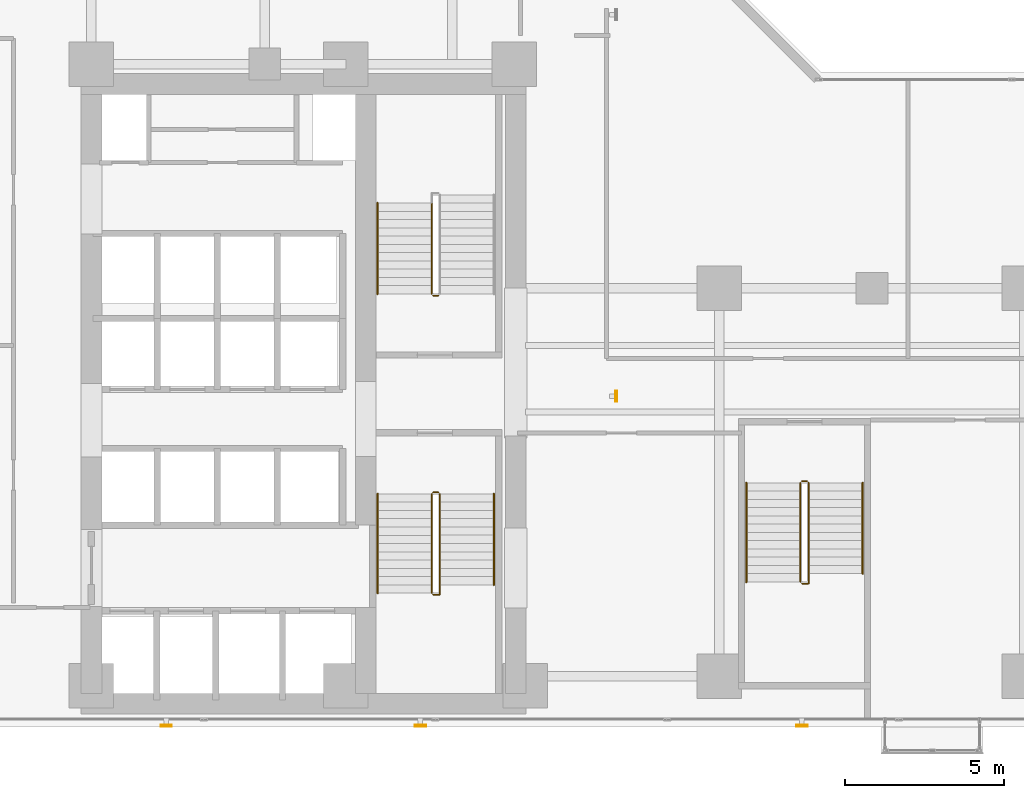
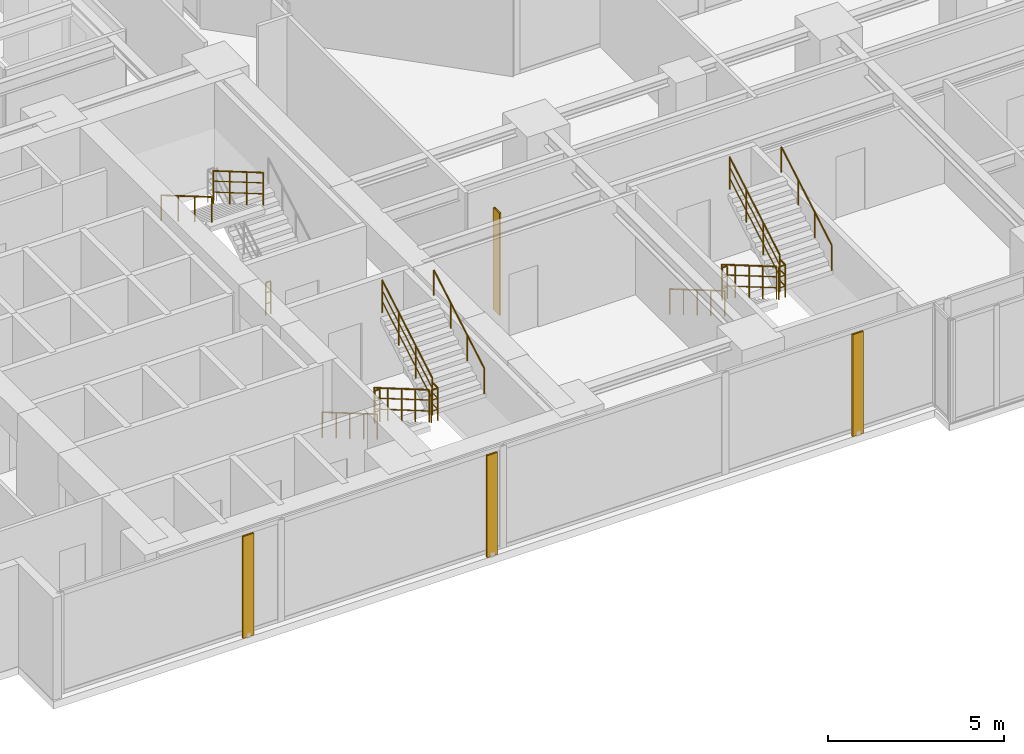
# One storey, part 25 of 28: 15 railings, 4 shading devices.
"""IFC4 building model written with IfcOpenShell, lengths in metres."""

from ifc_helpers import new_model, si_unit, direction, frame, origin, origin_2d, place, context, subcontext, project, spatial, hollow_rectangle, circle, extrude, material, material_profile, profile_set, type_object, element, save


model = new_model("IFC4")

# Units and contexts
model_context = context("Model", 3, precision=1e-05, world=origin(), true_north=direction((0.0, 1.0)))
body_context = subcontext(model_context, "Body", "Model", "MODEL_VIEW")
ifc_project = project(units=[si_unit("LENGTHUNIT", "METRE"), si_unit("AREAUNIT", "SQUARE_METRE"), si_unit("VOLUMEUNIT", "CUBIC_METRE"), si_unit("PLANEANGLEUNIT", "RADIAN"), si_unit("MASSUNIT", "GRAM", prefix="KILO")], contexts=[model_context])

# Site, building, storey
site_placement = place(None, origin())
site = spatial("IfcSite", under=ifc_project, at=site_placement, CompositionType="ELEMENT")
building_placement = place(site_placement, origin())
building = spatial("IfcBuilding", under=site, at=building_placement, Name="Kolvaren Waterfront Exchange", CompositionType="ELEMENT")
storey_placement = place(building_placement, frame((0.0, 0.0, 114.5)))
storey = spatial("IfcBuildingStorey", under=building, at=storey_placement, Name="L29", CompositionType="ELEMENT", Elevation=114.5)

# Shading devices
ifc_material_1 = material(Name="Anodised bronze aluminium 6063-T6", Category="aluminium")
ifc_material_profile = material_profile(ifc_material_1, hollow_rectangle(XDim=0.06005859375, YDim=0.35009765625, WallThickness=0.0048828125, at=origin_2d()), Name="BRZ-FIN-350x60x5")
ifc_profile_set = profile_set([ifc_material_profile], Name="Anodised bronze aluminium 6063-T6")
shading_device_type = type_object("IfcShadingDeviceType", Name="ARC-FIN-350", PredefinedType="USERDEFINED", material=ifc_profile_set)
for number, where, z_axis, x_axis, name in (
    (1, (9.800048828125, 3.639892578125, 0.0), (0.0, 0.0, 1.0), (0.0, -1.0, 0.0), "L29 anodised bronze solar shading fin FIN-L29-S1"),
    (2, (17.800048828125, 3.639892578125, 0.0), (0.0, 0.0, 1.0), (0.0, -1.0, 0.0), "L29 anodised bronze solar shading fin FIN-L29-S2"),
    (3, (29.800048828125, 3.639892578125, 0.0), (0.0, 0.0, 1.0), (0.0, -1.0, 0.0), "L29 anodised bronze solar shading fin FIN-L29-S3"),
    (4, (23.9599609375, 14.0, 0.0), (0.0, 0.0, 1.0), (1.0, 0.0, 0.0), "L29 anodised bronze solar shading fin FIN-L29-E1"),
):
    element("IfcShadingDevice", number, at=place(storey_placement, frame(where, z_axis=z_axis, x_axis=x_axis)), inside=storey, type_object=shading_device_type, Name=name, ObjectType="SOLAR FIN", PredefinedType="USERDEFINED", context=body_context, shape_type="SweptSolid", body=[
        extrude(hollow_rectangle(XDim=0.06005859375, YDim=0.35009765625, WallThickness=0.0048828125, at=origin_2d()), origin(), (0.0, 0.0, 1.0), 3.5400390625),
    ])

# Railings
ifc_material_2 = material(Name="Stainless steel 316", Category="steel")
railing_type_1 = type_object("IfcRailingType", Name="ARC-GUARD-STAIR", PredefinedType="GUARDRAIL", material=ifc_material_2)
railing_1_placement = place(storey_placement, frame((18.14990234375, 10.929931640625, 0.152099609375)))
element("IfcRailing", 5, at=railing_1_placement, inside=storey, type_object=railing_type_1, Name="L29 ST1 stair guard 1", PredefinedType="GUARDRAIL", context=body_context, shape_type="SweptSolid", body=[
    extrude(circle(Radius=0.02392578125, at=origin_2d()), frame((0.0, 0.0, 1.1259765625), z_axis=(0.0, -0.86329090724, 0.504706656858), x_axis=(1.0, 0.0, 0.0)), (0.0, 0.0, 1.0), 3.614013671875),
    extrude(circle(Radius=0.01611328125, at=origin_2d()), frame((0.0, 0.0, 0.390869140625), z_axis=(0.0, -0.86329090724, 0.504706656858), x_axis=(1.0, 0.0, 0.0)), (0.0, 0.0, 1.0), 3.614013671875),
    extrude(circle(Radius=0.01611328125, at=origin_2d()), frame((0.0, 0.0, 0.7705078125), z_axis=(0.0, -0.86329090724, 0.504706656858), x_axis=(1.0, 0.0, 0.0)), (0.0, 0.0, 1.0), 3.614013671875),
    extrude(circle(Radius=0.02099609375, at=origin_2d()), origin(), (0.0, 0.0, 1.0), 1.101806640625),
    extrude(circle(Radius=0.02099609375, at=origin_2d()), frame((0.0, -0.780029296875, 0.4560546875)), (0.0, 0.0, 1.0), 1.101806640625),
    extrude(circle(Radius=0.02099609375, at=origin_2d()), frame((0.0, -1.56005859375, 0.912109375)), (0.0, 0.0, 1.0), 1.101806640625),
    extrude(circle(Radius=0.02099609375, at=origin_2d()), frame((0.0, -2.33984375, 1.367919921875)), (0.0, 0.0, 1.0), 1.101806640625),
    extrude(circle(Radius=0.02099609375, at=origin_2d()), frame((0.0, -3.119873046875, 1.823974609375)), (0.0, 0.0, 1.0), 1.101806640625),
])
railing_2_placement = place(storey_placement, frame((18.199951171875, 7.760009765625, 1.97607421875)))
element("IfcRailing", 6, at=railing_2_placement, inside=storey, type_object=railing_type_1, Name="L29 ST1 stair guard 2", PredefinedType="GUARDRAIL", context=body_context, shape_type="SweptSolid", body=[
    extrude(circle(Radius=0.02392578125, at=origin_2d()), frame((0.0, 0.0, 1.1259765625), z_axis=(1.0, 0.0, 0.0), x_axis=(0.0, 1.0, 0.0)), (0.0, 0.0, 1.0), 0.2099609375),
    extrude(circle(Radius=0.01611328125, at=origin_2d()), frame((0.0, 0.0, 0.390869140625), z_axis=(1.0, 0.0, 0.0), x_axis=(0.0, 1.0, 0.0)), (0.0, 0.0, 1.0), 0.2099609375),
    extrude(circle(Radius=0.01611328125, at=origin_2d()), frame((0.0, 0.0, 0.7705078125), z_axis=(1.0, 0.0, 0.0), x_axis=(0.0, 1.0, 0.0)), (0.0, 0.0, 1.0), 0.2099609375),
    extrude(circle(Radius=0.02392578125, at=origin_2d()), frame((0.2099609375, 0.0, 1.1259765625), z_axis=(0.0, 1.0, 0.0), x_axis=(-1.0, 0.0, 0.0)), (0.0, 0.0, 1.0), 0.31005859375),
    extrude(circle(Radius=0.01611328125, at=origin_2d()), frame((0.2099609375, 0.0, 0.390869140625), z_axis=(0.0, 1.0, 0.0), x_axis=(-1.0, 0.0, 0.0)), (0.0, 0.0, 1.0), 0.31005859375),
    extrude(circle(Radius=0.01611328125, at=origin_2d()), frame((0.2099609375, 0.0, 0.7705078125), z_axis=(0.0, 1.0, 0.0), x_axis=(-1.0, 0.0, 0.0)), (0.0, 0.0, 1.0), 0.31005859375),
    extrude(circle(Radius=0.02099609375, at=origin_2d()), origin(), (0.0, 0.0, 1.0), 1.101806640625),
    extrude(circle(Radius=0.02099609375, at=origin_2d()), frame((0.2099609375, 0.0, 0.0)), (0.0, 0.0, 1.0), 1.101806640625),
    extrude(circle(Radius=0.02099609375, at=origin_2d()), frame((0.2099609375, 0.31005859375, 0.0)), (0.0, 0.0, 1.0), 1.101806640625),
])
railing_3_placement = place(storey_placement, frame((18.409912109375, 8.070068359375, 2.1279296875)))
element("IfcRailing", 7, at=railing_3_placement, inside=storey, type_object=railing_type_1, Name="L29 ST1 stair guard 3", PredefinedType="GUARDRAIL", context=body_context, shape_type="SweptSolid", body=[
    extrude(circle(Radius=0.02392578125, at=origin_2d()), frame((0.0, 0.0, 1.1259765625), z_axis=(0.0, 0.863270611444, 0.50474137082), x_axis=(-1.0, 0.0, 0.0)), (0.0, 0.0, 1.0), 3.312744140625),
    extrude(circle(Radius=0.01611328125, at=origin_2d()), frame((0.0, 0.0, 0.390869140625), z_axis=(0.0, 0.863270611444, 0.50474137082), x_axis=(-1.0, 0.0, 0.0)), (0.0, 0.0, 1.0), 3.312744140625),
    extrude(circle(Radius=0.01611328125, at=origin_2d()), frame((0.0, 0.0, 0.7705078125), z_axis=(0.0, 0.863270611444, 0.50474137082), x_axis=(-1.0, 0.0, 0.0)), (0.0, 0.0, 1.0), 3.312744140625),
    extrude(circle(Radius=0.02099609375, at=origin_2d()), origin(), (0.0, 0.0, 1.0), 1.101806640625),
    extrude(circle(Radius=0.02099609375, at=origin_2d()), frame((0.0, 0.953369140625, 0.557373046875)), (0.0, 0.0, 1.0), 1.101806640625),
    extrude(circle(Radius=0.02099609375, at=origin_2d()), frame((0.0, 1.906494140625, 1.11474609375)), (0.0, 0.0, 1.0), 1.101806640625),
    extrude(circle(Radius=0.02099609375, at=origin_2d()), frame((0.0, 2.85986328125, 1.672119140625)), (0.0, 0.0, 1.0), 1.101806640625),
])
railing_4_placement = place(storey_placement, frame((18.199951171875, 10.97998046875, 0.0)))
element("IfcRailing", 8, at=railing_4_placement, inside=storey, type_object=railing_type_1, Name="L29 ST1 stair guard 4", PredefinedType="GUARDRAIL", context=body_context, shape_type="SweptSolid", body=[
    extrude(circle(Radius=0.02392578125, at=origin_2d()), frame((0.0, 0.0, 1.1259765625), z_axis=(1.0, 0.0, 0.0), x_axis=(0.0, 1.0, 0.0)), (0.0, 0.0, 1.0), 0.16015625),
    extrude(circle(Radius=0.01611328125, at=origin_2d()), frame((0.0, 0.0, 0.390869140625), z_axis=(1.0, 0.0, 0.0), x_axis=(0.0, 1.0, 0.0)), (0.0, 0.0, 1.0), 0.16015625),
    extrude(circle(Radius=0.01611328125, at=origin_2d()), frame((0.0, 0.0, 0.7705078125), z_axis=(1.0, 0.0, 0.0), x_axis=(0.0, 1.0, 0.0)), (0.0, 0.0, 1.0), 0.16015625),
    extrude(circle(Radius=0.02099609375, at=origin_2d()), origin(), (0.0, 0.0, 1.0), 1.101806640625),
    extrude(circle(Radius=0.02099609375, at=origin_2d()), frame((0.16015625, 0.0, 0.0)), (0.0, 0.0, 1.0), 1.101806640625),
])
railing_5_placement = place(storey_placement, frame((18.14990234375, 20.080078125, 2.1279296875)))
element("IfcRailing", 9, at=railing_5_placement, inside=storey, type_object=railing_type_1, Name="L29 ST2 stair guard 3", PredefinedType="GUARDRAIL", context=body_context, shape_type="SweptSolid", body=[
    extrude(circle(Radius=0.02392578125, at=origin_2d()), frame((0.0, 0.0, 1.1259765625), z_axis=(0.0, -0.863289384635, 0.504709261235), x_axis=(1.0, 0.0, 0.0)), (0.0, 0.0, 1.0), 3.31298828125),
    extrude(circle(Radius=0.01611328125, at=origin_2d()), frame((0.0, 0.0, 0.390869140625), z_axis=(0.0, -0.863289384635, 0.504709261235), x_axis=(1.0, 0.0, 0.0)), (0.0, 0.0, 1.0), 3.31298828125),
    extrude(circle(Radius=0.01611328125, at=origin_2d()), frame((0.0, 0.0, 0.7705078125), z_axis=(0.0, -0.863289384635, 0.504709261235), x_axis=(1.0, 0.0, 0.0)), (0.0, 0.0, 1.0), 3.31298828125),
    extrude(circle(Radius=0.02099609375, at=origin_2d()), origin(), (0.0, 0.0, 1.0), 1.101806640625),
    extrude(circle(Radius=0.02099609375, at=origin_2d()), frame((0.0, -0.953369140625, 0.557373046875)), (0.0, 0.0, 1.0), 1.101806640625),
    extrude(circle(Radius=0.02099609375, at=origin_2d()), frame((0.0, -1.90673828125, 1.11474609375)), (0.0, 0.0, 1.0), 1.101806640625),
    extrude(circle(Radius=0.02099609375, at=origin_2d()), frame((0.0, -2.860107421875, 1.672119140625)), (0.0, 0.0, 1.0), 1.101806640625),
])
railing_6_placement = place(storey_placement, frame((18.360107421875, 17.169921875, 0.0)))
element("IfcRailing", 10, at=railing_6_placement, inside=storey, type_object=railing_type_1, Name="L29 ST2 stair guard 4", PredefinedType="GUARDRAIL", context=body_context, shape_type="SweptSolid", body=[
    extrude(circle(Radius=0.02392578125, at=origin_2d()), frame((0.0, 0.0, 1.1259765625), z_axis=(-1.0, 0.0, 0.0), x_axis=(0.0, -1.0, 0.0)), (0.0, 0.0, 1.0), 0.16015625),
    extrude(circle(Radius=0.01611328125, at=origin_2d()), frame((0.0, 0.0, 0.390869140625), z_axis=(-1.0, 0.0, 0.0), x_axis=(0.0, -1.0, 0.0)), (0.0, 0.0, 1.0), 0.16015625),
    extrude(circle(Radius=0.01611328125, at=origin_2d()), frame((0.0, 0.0, 0.7705078125), z_axis=(-1.0, 0.0, 0.0), x_axis=(0.0, -1.0, 0.0)), (0.0, 0.0, 1.0), 0.16015625),
    extrude(circle(Radius=0.02099609375, at=origin_2d()), origin(), (0.0, 0.0, 1.0), 1.101806640625),
    extrude(circle(Radius=0.02099609375, at=origin_2d()), frame((-0.16015625, 0.0, 0.0)), (0.0, 0.0, 1.0), 1.101806640625),
])
railing_7_placement = place(storey_placement, frame((29.75, 11.280029296875, 0.152099609375)))
element("IfcRailing", 11, at=railing_7_placement, inside=storey, type_object=railing_type_1, Name="L29 ST3 stair guard 1", PredefinedType="GUARDRAIL", context=body_context, shape_type="SweptSolid", body=[
    extrude(circle(Radius=0.02392578125, at=origin_2d()), frame((0.0, 0.0, 1.1259765625), z_axis=(0.0, -0.86330811405, 0.504677223793), x_axis=(1.0, 0.0, 0.0)), (0.0, 0.0, 1.0), 3.6142578125),
    extrude(circle(Radius=0.01611328125, at=origin_2d()), frame((0.0, 0.0, 0.390869140625), z_axis=(0.0, -0.86330811405, 0.504677223793), x_axis=(1.0, 0.0, 0.0)), (0.0, 0.0, 1.0), 3.6142578125),
    extrude(circle(Radius=0.01611328125, at=origin_2d()), frame((0.0, 0.0, 0.7705078125), z_axis=(0.0, -0.86330811405, 0.504677223793), x_axis=(1.0, 0.0, 0.0)), (0.0, 0.0, 1.0), 3.6142578125),
    extrude(circle(Radius=0.02099609375, at=origin_2d()), origin(), (0.0, 0.0, 1.0), 1.101806640625),
    extrude(circle(Radius=0.02099609375, at=origin_2d()), frame((0.0, -0.780029296875, 0.4560546875)), (0.0, 0.0, 1.0), 1.101806640625),
    extrude(circle(Radius=0.02099609375, at=origin_2d()), frame((0.0, -1.56005859375, 0.912109375)), (0.0, 0.0, 1.0), 1.101806640625),
    extrude(circle(Radius=0.02099609375, at=origin_2d()), frame((0.0, -2.340087890625, 1.367919921875)), (0.0, 0.0, 1.0), 1.101806640625),
    extrude(circle(Radius=0.02099609375, at=origin_2d()), frame((0.0, -3.1201171875, 1.823974609375)), (0.0, 0.0, 1.0), 1.101806640625),
])
railing_8_placement = place(storey_placement, frame((29.800048828125, 8.110107421875, 1.97607421875)))
element("IfcRailing", 12, at=railing_8_placement, inside=storey, type_object=railing_type_1, Name="L29 ST3 stair guard 2", PredefinedType="GUARDRAIL", context=body_context, shape_type="SweptSolid", body=[
    extrude(circle(Radius=0.02392578125, at=origin_2d()), frame((0.0, 0.0, 1.1259765625), z_axis=(1.0, 0.0, 0.0), x_axis=(0.0, 1.0, 0.0)), (0.0, 0.0, 1.0), 0.2099609375),
    extrude(circle(Radius=0.01611328125, at=origin_2d()), frame((0.0, 0.0, 0.390869140625), z_axis=(1.0, 0.0, 0.0), x_axis=(0.0, 1.0, 0.0)), (0.0, 0.0, 1.0), 0.2099609375),
    extrude(circle(Radius=0.01611328125, at=origin_2d()), frame((0.0, 0.0, 0.7705078125), z_axis=(1.0, 0.0, 0.0), x_axis=(0.0, 1.0, 0.0)), (0.0, 0.0, 1.0), 0.2099609375),
    extrude(circle(Radius=0.02392578125, at=origin_2d()), frame((0.2099609375, 0.0, 1.1259765625), z_axis=(0.0, 1.0, 0.0), x_axis=(-1.0, 0.0, 0.0)), (0.0, 0.0, 1.0), 0.309814453125),
    extrude(circle(Radius=0.01611328125, at=origin_2d()), frame((0.2099609375, 0.0, 0.390869140625), z_axis=(0.0, 1.0, 0.0), x_axis=(-1.0, 0.0, 0.0)), (0.0, 0.0, 1.0), 0.309814453125),
    extrude(circle(Radius=0.01611328125, at=origin_2d()), frame((0.2099609375, 0.0, 0.7705078125), z_axis=(0.0, 1.0, 0.0), x_axis=(-1.0, 0.0, 0.0)), (0.0, 0.0, 1.0), 0.309814453125),
    extrude(circle(Radius=0.02099609375, at=origin_2d()), origin(), (0.0, 0.0, 1.0), 1.101806640625),
    extrude(circle(Radius=0.02099609375, at=origin_2d()), frame((0.2099609375, 0.0, 0.0)), (0.0, 0.0, 1.0), 1.101806640625),
    extrude(circle(Radius=0.02099609375, at=origin_2d()), frame((0.2099609375, 0.309814453125, 0.0)), (0.0, 0.0, 1.0), 1.101806640625),
])
railing_9_placement = place(storey_placement, frame((30.010009765625, 8.419921875, 2.1279296875)))
element("IfcRailing", 13, at=railing_9_placement, inside=storey, type_object=railing_type_1, Name="L29 ST3 stair guard 3", PredefinedType="GUARDRAIL", context=body_context, shape_type="SweptSolid", body=[
    extrude(circle(Radius=0.02392578125, at=origin_2d()), frame((0.0, 0.0, 1.1259765625), z_axis=(0.0, 0.863289384635, 0.504709261235), x_axis=(-1.0, 0.0, 0.0)), (0.0, 0.0, 1.0), 3.31298828125),
    extrude(circle(Radius=0.01611328125, at=origin_2d()), frame((0.0, 0.0, 0.390869140625), z_axis=(0.0, 0.863289384635, 0.504709261235), x_axis=(-1.0, 0.0, 0.0)), (0.0, 0.0, 1.0), 3.31298828125),
    extrude(circle(Radius=0.01611328125, at=origin_2d()), frame((0.0, 0.0, 0.7705078125), z_axis=(0.0, 0.863289384635, 0.504709261235), x_axis=(-1.0, 0.0, 0.0)), (0.0, 0.0, 1.0), 3.31298828125),
    extrude(circle(Radius=0.02099609375, at=origin_2d()), origin(), (0.0, 0.0, 1.0), 1.101806640625),
    extrude(circle(Radius=0.02099609375, at=origin_2d()), frame((0.0, 0.953369140625, 0.557373046875)), (0.0, 0.0, 1.0), 1.101806640625),
    extrude(circle(Radius=0.02099609375, at=origin_2d()), frame((0.0, 1.90673828125, 1.11474609375)), (0.0, 0.0, 1.0), 1.101806640625),
    extrude(circle(Radius=0.02099609375, at=origin_2d()), frame((0.0, 2.860107421875, 1.672119140625)), (0.0, 0.0, 1.0), 1.101806640625),
])
railing_10_placement = place(storey_placement, frame((29.800048828125, 11.330078125, 0.0)))
element("IfcRailing", 14, at=railing_10_placement, inside=storey, type_object=railing_type_1, Name="L29 ST3 stair guard 4", PredefinedType="GUARDRAIL", context=body_context, shape_type="SweptSolid", body=[
    extrude(circle(Radius=0.02392578125, at=origin_2d()), frame((0.0, 0.0, 1.1259765625), z_axis=(1.0, 0.0, 0.0), x_axis=(0.0, 1.0, 0.0)), (0.0, 0.0, 1.0), 0.159912109375),
    extrude(circle(Radius=0.01611328125, at=origin_2d()), frame((0.0, 0.0, 0.390869140625), z_axis=(1.0, 0.0, 0.0), x_axis=(0.0, 1.0, 0.0)), (0.0, 0.0, 1.0), 0.159912109375),
    extrude(circle(Radius=0.01611328125, at=origin_2d()), frame((0.0, 0.0, 0.7705078125), z_axis=(1.0, 0.0, 0.0), x_axis=(0.0, 1.0, 0.0)), (0.0, 0.0, 1.0), 0.159912109375),
    extrude(circle(Radius=0.02099609375, at=origin_2d()), origin(), (0.0, 0.0, 1.0), 1.101806640625),
    extrude(circle(Radius=0.02099609375, at=origin_2d()), frame((0.159912109375, 0.0, 0.0)), (0.0, 0.0, 1.0), 1.101806640625),
])
railing_type_2 = type_object("IfcRailingType", Name="ARC-HANDRAIL-900", PredefinedType="HANDRAIL", material=ifc_material_2)
railing_11_placement = place(storey_placement, frame((16.449951171875, 10.929931640625, 0.152099609375)))
element("IfcRailing", 15, at=railing_11_placement, inside=storey, type_object=railing_type_2, Name="L29 ST1 stair handrail 1", PredefinedType="HANDRAIL", context=body_context, shape_type="SweptSolid", body=[
    extrude(circle(Radius=0.02392578125, at=origin_2d()), frame((0.0, 0.0, 0.8759765625), z_axis=(0.0, -0.86329090724, 0.504706656858), x_axis=(1.0, 0.0, 0.0)), (0.0, 0.0, 1.0), 3.614013671875),
    extrude(circle(Radius=0.02099609375, at=origin_2d()), origin(), (0.0, 0.0, 1.0), 0.851806640625),
    extrude(circle(Radius=0.02099609375, at=origin_2d()), frame((0.0, -0.780029296875, 0.4560546875)), (0.0, 0.0, 1.0), 0.851806640625),
    extrude(circle(Radius=0.02099609375, at=origin_2d()), frame((0.0, -1.56005859375, 0.912109375)), (0.0, 0.0, 1.0), 0.851806640625),
    extrude(circle(Radius=0.02099609375, at=origin_2d()), frame((0.0, -2.33984375, 1.367919921875)), (0.0, 0.0, 1.0), 0.851806640625),
    extrude(circle(Radius=0.02099609375, at=origin_2d()), frame((0.0, -3.119873046875, 1.823974609375)), (0.0, 0.0, 1.0), 0.851806640625),
])
railing_12_placement = place(storey_placement, frame((20.110107421875, 8.070068359375, 2.1279296875)))
element("IfcRailing", 16, at=railing_12_placement, inside=storey, type_object=railing_type_2, Name="L29 ST1 stair handrail 2", PredefinedType="HANDRAIL", context=body_context, shape_type="SweptSolid", body=[
    extrude(circle(Radius=0.02392578125, at=origin_2d()), frame((0.0, 0.0, 0.8759765625), z_axis=(0.0, 0.863270611444, 0.50474137082), x_axis=(-1.0, 0.0, 0.0)), (0.0, 0.0, 1.0), 3.312744140625),
    extrude(circle(Radius=0.02099609375, at=origin_2d()), origin(), (0.0, 0.0, 1.0), 0.851806640625),
    extrude(circle(Radius=0.02099609375, at=origin_2d()), frame((0.0, 0.953369140625, 0.557373046875)), (0.0, 0.0, 1.0), 0.851806640625),
    extrude(circle(Radius=0.02099609375, at=origin_2d()), frame((0.0, 1.906494140625, 1.11474609375)), (0.0, 0.0, 1.0), 0.851806640625),
    extrude(circle(Radius=0.02099609375, at=origin_2d()), frame((0.0, 2.85986328125, 1.672119140625)), (0.0, 0.0, 1.0), 0.851806640625),
])
railing_13_placement = place(storey_placement, frame((16.449951171875, 20.080078125, 2.1279296875)))
element("IfcRailing", 17, at=railing_13_placement, inside=storey, type_object=railing_type_2, Name="L29 ST2 stair handrail 2", PredefinedType="HANDRAIL", context=body_context, shape_type="SweptSolid", body=[
    extrude(circle(Radius=0.02392578125, at=origin_2d()), frame((0.0, 0.0, 0.8759765625), z_axis=(0.0, -0.863289384635, 0.504709261235), x_axis=(1.0, 0.0, 0.0)), (0.0, 0.0, 1.0), 3.31298828125),
    extrude(circle(Radius=0.02099609375, at=origin_2d()), origin(), (0.0, 0.0, 1.0), 0.851806640625),
    extrude(circle(Radius=0.02099609375, at=origin_2d()), frame((0.0, -0.953369140625, 0.557373046875)), (0.0, 0.0, 1.0), 0.851806640625),
    extrude(circle(Radius=0.02099609375, at=origin_2d()), frame((0.0, -1.90673828125, 1.11474609375)), (0.0, 0.0, 1.0), 0.851806640625),
    extrude(circle(Radius=0.02099609375, at=origin_2d()), frame((0.0, -2.860107421875, 1.672119140625)), (0.0, 0.0, 1.0), 0.851806640625),
])
railing_14_placement = place(storey_placement, frame((28.050048828125, 11.280029296875, 0.152099609375)))
element("IfcRailing", 18, at=railing_14_placement, inside=storey, type_object=railing_type_2, Name="L29 ST3 stair handrail 1", PredefinedType="HANDRAIL", context=body_context, shape_type="SweptSolid", body=[
    extrude(circle(Radius=0.02392578125, at=origin_2d()), frame((0.0, 0.0, 0.8759765625), z_axis=(0.0, -0.86330811405, 0.504677223793), x_axis=(1.0, 0.0, 0.0)), (0.0, 0.0, 1.0), 3.6142578125),
    extrude(circle(Radius=0.02099609375, at=origin_2d()), origin(), (0.0, 0.0, 1.0), 0.851806640625),
    extrude(circle(Radius=0.02099609375, at=origin_2d()), frame((0.0, -0.780029296875, 0.4560546875)), (0.0, 0.0, 1.0), 0.851806640625),
    extrude(circle(Radius=0.02099609375, at=origin_2d()), frame((0.0, -1.56005859375, 0.912109375)), (0.0, 0.0, 1.0), 0.851806640625),
    extrude(circle(Radius=0.02099609375, at=origin_2d()), frame((0.0, -2.340087890625, 1.367919921875)), (0.0, 0.0, 1.0), 0.851806640625),
    extrude(circle(Radius=0.02099609375, at=origin_2d()), frame((0.0, -3.1201171875, 1.823974609375)), (0.0, 0.0, 1.0), 0.851806640625),
])
railing_15_placement = place(storey_placement, frame((31.7099609375, 8.419921875, 2.1279296875)))
element("IfcRailing", 19, at=railing_15_placement, inside=storey, type_object=railing_type_2, Name="L29 ST3 stair handrail 2", PredefinedType="HANDRAIL", context=body_context, shape_type="SweptSolid", body=[
    extrude(circle(Radius=0.02392578125, at=origin_2d()), frame((0.0, 0.0, 0.8759765625), z_axis=(0.0, 0.863289384635, 0.504709261235), x_axis=(-1.0, 0.0, 0.0)), (0.0, 0.0, 1.0), 3.31298828125),
    extrude(circle(Radius=0.02099609375, at=origin_2d()), origin(), (0.0, 0.0, 1.0), 0.851806640625),
    extrude(circle(Radius=0.02099609375, at=origin_2d()), frame((0.0, 0.953369140625, 0.557373046875)), (0.0, 0.0, 1.0), 0.851806640625),
    extrude(circle(Radius=0.02099609375, at=origin_2d()), frame((0.0, 1.90673828125, 1.11474609375)), (0.0, 0.0, 1.0), 0.851806640625),
    extrude(circle(Radius=0.02099609375, at=origin_2d()), frame((0.0, 2.860107421875, 1.672119140625)), (0.0, 0.0, 1.0), 0.851806640625),
])

save(model, "model.ifc")
